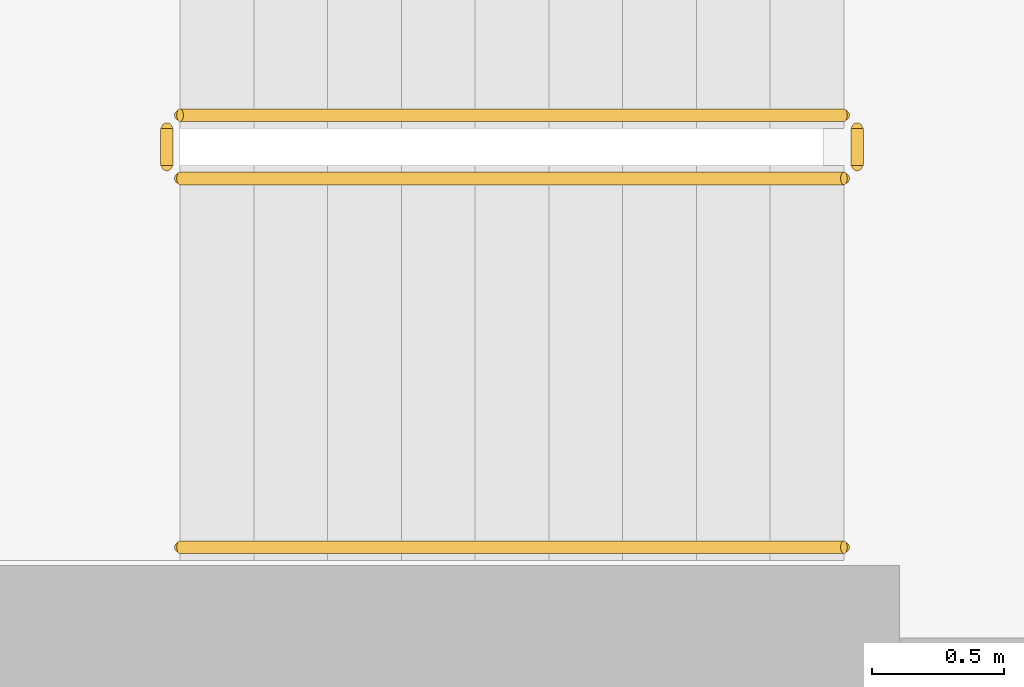
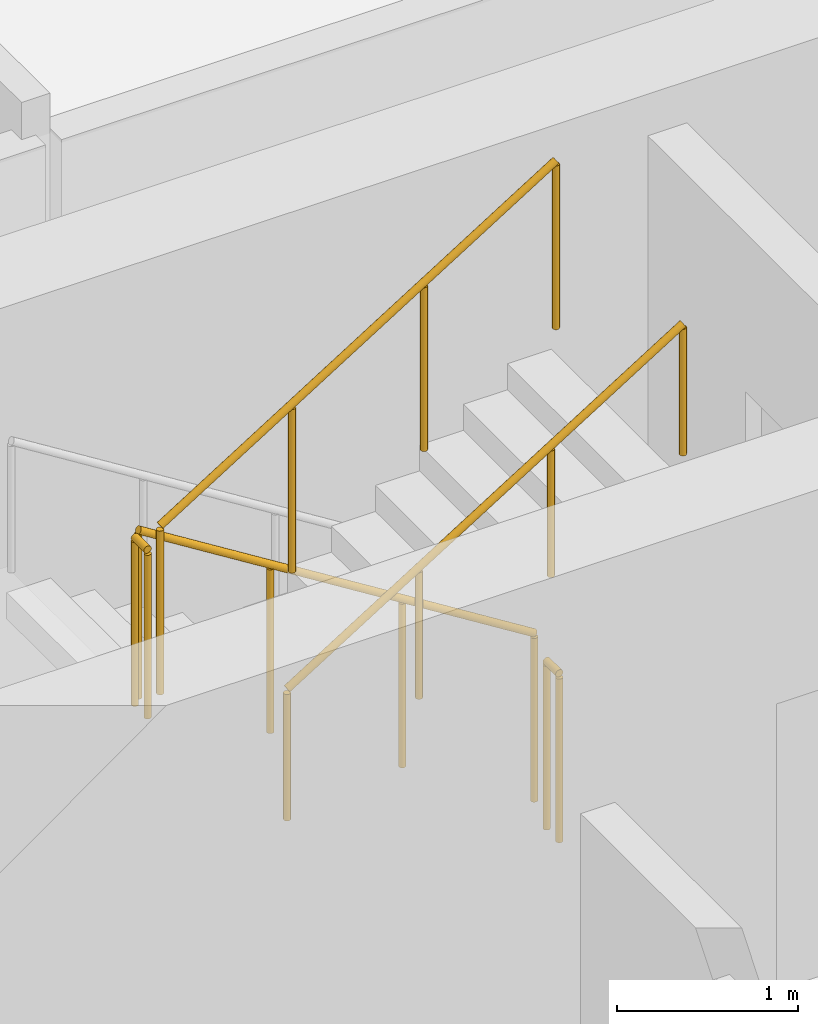
# One storey, part 24 of 26: 5 railings.
"""IFC4 building model written with IfcOpenShell, lengths in metres."""

import ifcopenshell
import ifcopenshell.guid

model = None  # the IFC model being written
_history = None  # IfcOwnerHistory: only IFC2X3 demands one
_inside = {}  # id of a spatial element -> (the spatial element, [elements in it])
_under = {}  # id of a project, library or spatial element -> (it, [spatial elements below it])
_declared = {}  # id of a project -> (the project, [libraries it declares])
_typed = {}  # id of a type object -> (the type object, [elements of that type])
_made_of = {}  # id of a material, layer set ... -> (it, [elements and type objects made of it])


def new_model(schema):
    """Start an empty IFC model of exactly this schema.

    Asked for "IFC4X3", IfcOpenShell would pick the latest addendum, in which some entities
    have other attributes; the version numbers below select the first issue.
    IFC2X3 requires an IfcOwnerHistory on every rooted entity: one is made here for all.
    """
    global model, _history
    if schema == "IFC4X3":
        model = ifcopenshell.file(schema_version=(4, 3, 0, 0))
    else:
        model = ifcopenshell.file(schema=schema)
    _inside.clear()
    _under.clear()
    _declared.clear()
    _typed.clear()
    _made_of.clear()
    _history = None
    if model.schema == "IFC2X3":
        org = make("IfcOrganization", Name="unknown")
        user = make(
            "IfcPersonAndOrganization",
            ThePerson=make("IfcPerson", FamilyName="unknown"),
            TheOrganization=org,
        )
        app = make(
            "IfcApplication",
            ApplicationDeveloper=org,
            Version="unknown",
            ApplicationFullName="unknown",
            ApplicationIdentifier="unknown",
        )
        _history = make(
            "IfcOwnerHistory",
            OwningUser=user,
            OwningApplication=app,
            ChangeAction="ADDED",
            CreationDate=0,
        )
    return model


def make(cls, **values):
    """One entity of the class cls with the attributes given. An attribute that is None is left unset."""
    return model.create_entity(
        cls, **{name: value for name, value in values.items() if value is not None}
    )


def rooted(cls, **values):
    """An entity with a GlobalId (a new one), such as an element, a storey or a relation."""
    return make(cls, GlobalId=ifcopenshell.guid.new(), OwnerHistory=_history, **values)


def si_unit(unit_type, name, prefix=None):
    """IfcSIUnit, for example si_unit("LENGTHUNIT", "METRE", prefix="MILLI")."""
    return make("IfcSIUnit", UnitType=unit_type, Prefix=prefix, Name=name)


def derived_unit(unit_type, elements):
    """IfcDerivedUnit: a product of units, each with its exponent."""
    return make(
        "IfcDerivedUnit",
        Elements=[
            make("IfcDerivedUnitElement", Unit=unit, Exponent=power)
            for unit, power in elements
        ],
        UnitType=unit_type,
    )


def assignment(units):
    """IfcUnitAssignment: the units of a project."""
    return None if units is None else make("IfcUnitAssignment", Units=units)


def point(xyz):
    """IfcCartesianPoint."""
    return None if xyz is None else make("IfcCartesianPoint", Coordinates=xyz)


def direction(xyz):
    """IfcDirection."""
    return None if xyz is None else make("IfcDirection", DirectionRatios=xyz)


def frame(location, z_axis=None, x_axis=None):
    """IfcAxis2Placement3D, a coordinate frame: its origin and axes. An axis left out is left unset."""
    return make(
        "IfcAxis2Placement3D",
        Location=point(location),
        Axis=direction(z_axis),
        RefDirection=direction(x_axis),
    )


def frame_2d(location, x_axis=None):
    """IfcAxis2Placement2D, a coordinate frame in the plane: its origin and x axis."""
    return make(
        "IfcAxis2Placement2D", Location=point(location), RefDirection=direction(x_axis)
    )


def origin():
    """The frame at (0, 0, 0) with its axes left unset."""
    return frame((0.0, 0.0, 0.0))


def origin_2d():
    """The frame at (0, 0) in the plane with its x axis left unset."""
    return frame_2d((0.0, 0.0))


def place(relative_to, where):
    """IfcLocalPlacement: puts the frame where relative to a parent placement (None: the world)."""
    return make(
        "IfcLocalPlacement", PlacementRelTo=relative_to, RelativePlacement=where
    )


def context(
    kind, dimensions, precision=None, world=None, true_north=None, identifier=None
):
    """IfcGeometricRepresentationContext, for example the 3D "Model" context."""
    return make(
        "IfcGeometricRepresentationContext",
        ContextIdentifier=identifier,
        ContextType=kind,
        CoordinateSpaceDimension=dimensions,
        Precision=precision,
        WorldCoordinateSystem=world,
        TrueNorth=true_north,
    )


def subcontext(parent, identifier, kind, view, scale=None):
    """IfcGeometricRepresentationSubContext, for example "Body" below "Model"."""
    return make(
        "IfcGeometricRepresentationSubContext",
        ContextIdentifier=identifier,
        ContextType=kind,
        ParentContext=parent,
        TargetScale=scale,
        TargetView=view,
    )


def project(units=None, contexts=None):
    """IfcProject with its units and contexts."""
    return rooted(
        "IfcProject",
        Name="project",
        RepresentationContexts=contexts,
        UnitsInContext=assignment(units),
    )


def spatial(cls, under=None, at=None, **own):
    """A site, building, storey or space (cls), placed at a placement, below another one or the project."""
    s = rooted(cls, ObjectPlacement=at, **own)
    if under is not None:
        _under.setdefault(under.id(), (under, []))[1].append(s)
    return s


def profile(cls, at=None, kind="AREA", **sizes):
    """A parametric profile (cls). Its sizes go by their IFC names, for example OverallWidth=200.0."""
    return make(cls, ProfileType=kind, Position=at, **sizes)


def circle(**sizes):
    """IfcCircleProfileDef."""
    return profile("IfcCircleProfileDef", **sizes)


def extrude(swept, where, along, depth):
    """IfcExtrudedAreaSolid: the profile swept, set in the frame where, extruded along a direction by depth."""
    return make(
        "IfcExtrudedAreaSolid",
        SweptArea=swept,
        Position=where,
        ExtrudedDirection=direction(along),
        Depth=depth,
    )


def shape(context_of_items, identifier, shape_type, items):
    """IfcShapeRepresentation: the items that make up one representation, for example the "Body"."""
    return make(
        "IfcShapeRepresentation",
        ContextOfItems=context_of_items,
        RepresentationIdentifier=identifier,
        RepresentationType=shape_type,
        Items=items,
    )


def material(Name=None, Category=None):
    """IfcMaterial."""
    return make("IfcMaterial", Name=Name, Category=Category)


def made_of(thing, what):
    """Note that an element or type object is made of a material, layer set ...; save() writes the relation."""
    if what is not None:
        _made_of.setdefault(what.id(), (what, []))[1].append(thing)
    return thing


def type_object(cls, material=None, **own):
    """A type object (cls), such as IfcWallType, which elements share."""
    return made_of(rooted(cls, **own), material)


def element(
    cls,
    number,
    at=None,
    inside=None,
    cuts=None,
    type_object=None,
    material=None,
    context=None,
    identifier="Body",
    shape_type=None,
    held_by="IfcProductDefinitionShape",
    body=None,
    shapes=None,
    **own,
):
    """One element of the class cls, such as IfcWall. Its Tag is "e" and its number.

    at: its placement. inside: the storey or other place that contains it. cuts: it is an
    opening in that element (IfcRelVoidsElement). A single representation is given by context,
    identifier, shape_type and body (its items); several are given by shapes. held_by: the class
    of the entity that holds the representations. save() writes the other relations.
    """
    e = rooted(cls, Tag="e%d" % number, ObjectPlacement=at, **own)
    if body is not None:
        shapes = [shape(context, identifier, shape_type, body)]
    if shapes is not None:
        e.Representation = make(held_by, Representations=shapes)
    if inside is not None:
        _inside.setdefault(inside.id(), (inside, []))[1].append(e)
    if cuts is not None:
        rooted(
            "IfcRelVoidsElement", RelatingBuildingElement=cuts, RelatedOpeningElement=e
        )
    if type_object is not None:
        _typed.setdefault(type_object.id(), (type_object, []))[1].append(e)
    return made_of(e, material)


def aggregate(whole, parts):
    """IfcRelAggregates: a whole, such as a stair, and the parts it consists of."""
    return rooted("IfcRelAggregates", RelatingObject=whole, RelatedObjects=parts)


def save(model, path):
    """Write the relations noted so far, then the file.

    IfcRelAggregates (storeys below a building ...), IfcRelContainedInSpatialStructure (elements
    in a storey), IfcRelDefinesByType, IfcRelAssociatesMaterial and IfcRelDeclares: one each for
    every whole, place, type object, material and project.
    """
    for whole, parts in _under.values():
        aggregate(whole, parts)
    for where, things in _inside.values():
        rooted(
            "IfcRelContainedInSpatialStructure",
            RelatedElements=things,
            RelatingStructure=where,
        )
    for kind, things in _typed.values():
        rooted("IfcRelDefinesByType", RelatedObjects=things, RelatingType=kind)
    for what, things in _made_of.values():
        rooted("IfcRelAssociatesMaterial", RelatedObjects=things, RelatingMaterial=what)
    for by, libraries in _declared.values():
        rooted("IfcRelDeclares", RelatingContext=by, RelatedDefinitions=libraries)
    model.write(path)


model = new_model("IFC4")

# Units and contexts
model_context = context("Model", 3, precision=1e-05, world=origin(), true_north=direction((0.0, 1.0)))
body_context = subcontext(model_context, "Body", "Model", "MODEL_VIEW")
ifc_project = project(units=[si_unit("LENGTHUNIT", "METRE"), si_unit("AREAUNIT", "SQUARE_METRE"), si_unit("VOLUMEUNIT", "CUBIC_METRE"), si_unit("PLANEANGLEUNIT", "RADIAN"), si_unit("MASSUNIT", "GRAM", prefix="KILO"), derived_unit("THERMALTRANSMITTANCEUNIT", [(si_unit("POWERUNIT", "WATT"), 1), (si_unit("LENGTHUNIT", "METRE"), -2), (si_unit("THERMODYNAMICTEMPERATUREUNIT", "KELVIN"), -1)])], contexts=[model_context])

# Site, building, storey
site_placement = place(None, origin())
site = spatial("IfcSite", under=ifc_project, at=site_placement, CompositionType="ELEMENT")
building_placement = place(site_placement, origin())
building = spatial("IfcBuilding", under=site, at=building_placement, Name="Kivonza Crest Hotel", CompositionType="ELEMENT")
storey_placement = place(building_placement, frame((0.0, 0.0, 55.5)))
storey = spatial("IfcBuildingStorey", under=building, at=storey_placement, Name="L14", CompositionType="ELEMENT", Elevation=55.5)

# Railings
ifc_material_1 = material(Name="Brushed stainless steel handrail", Category="steel")
railing_type_1 = type_object("IfcRailingType", Name="RL-HAND-900", PredefinedType="HANDRAIL", material=ifc_material_1)
railing_1_placement = place(storey_placement, frame((9.719970703125, 33.070068359375, 1.925048828125)))
element("IfcRailing", 1, at=railing_1_placement, inside=storey, type_object=railing_type_1, Name="L14 ST-T1-N stair handrail 2", PredefinedType="HANDRAIL", context=body_context, shape_type="SweptSolid", body=[
    extrude(circle(Radius=0.02392578125, at=origin_2d()), frame((0.0, 0.0, 0.8759765625), z_axis=(0.848007534815, 0.0, 0.529984170421), x_axis=(0.0, 1.0, 0.0)), (0.0, 0.0, 1.0), 2.9716796875),
    extrude(circle(Radius=0.02099609375, at=origin_2d()), origin(), (0.0, 0.0, 1.0), 0.851806640625),
    extrude(circle(Radius=0.02099609375, at=origin_2d()), frame((0.840087890625, 0.0, 0.52490234375)), (0.0, 0.0, 1.0), 0.851806640625),
    extrude(circle(Radius=0.02099609375, at=origin_2d()), frame((1.679931640625, 0.0, 1.050048828125)), (0.0, 0.0, 1.0), 0.851806640625),
    extrude(circle(Radius=0.02099609375, at=origin_2d()), frame((2.52001953125, 0.0, 1.574951171875)), (0.0, 0.0, 1.0), 0.851806640625),
])
ifc_material_2 = material(Name="Painted steel balustrade", Category="steel")
railing_type_2 = type_object("IfcRailingType", Name="RL-STAIR-1150", PredefinedType="BALUSTRADE", material=ifc_material_2)
railing_2_placement = place(storey_placement, frame((12.239990234375, 34.7099609375, 0.175048828125)))
element("IfcRailing", 2, at=railing_2_placement, inside=storey, type_object=railing_type_2, Name="L14 ST-T1-N stair guard 1", PredefinedType="BALUSTRADE", context=body_context, shape_type="SweptSolid", body=[
    extrude(circle(Radius=0.02392578125, at=origin_2d()), frame((0.0, 0.0, 1.1259765625), z_axis=(-0.848007534815, 0.0, 0.529984170421), x_axis=(0.0, -1.0, 0.0)), (0.0, 0.0, 1.0), 2.9716796875),
    extrude(circle(Radius=0.02099609375, at=origin_2d()), origin(), (0.0, 0.0, 1.0), 1.101806640625),
    extrude(circle(Radius=0.02099609375, at=origin_2d()), frame((-0.840087890625, 0.0, 0.52490234375)), (0.0, 0.0, 1.0), 1.101806640625),
    extrude(circle(Radius=0.02099609375, at=origin_2d()), frame((-1.679931640625, 0.0, 1.050048828125)), (0.0, 0.0, 1.0), 1.101806640625),
    extrude(circle(Radius=0.02099609375, at=origin_2d()), frame((-2.52001953125, 0.0, 1.574951171875)), (0.0, 0.0, 1.0), 1.101806640625),
])
railing_3_placement = place(storey_placement, frame((9.669921875, 34.659912109375, 1.75)))
element("IfcRailing", 3, at=railing_3_placement, inside=storey, type_object=railing_type_2, Name="L14 ST-T1-N stair guard 2", PredefinedType="BALUSTRADE", context=body_context, shape_type="SweptSolid", body=[
    extrude(circle(Radius=0.02392578125, at=origin_2d()), frame((0.0, 0.0, 1.1259765625), z_axis=(0.0, -1.0, 0.0), x_axis=(1.0, 0.0, 0.0)), (0.0, 0.0, 1.0), 0.139892578125),
    extrude(circle(Radius=0.02099609375, at=origin_2d()), origin(), (0.0, 0.0, 1.0), 1.101806640625),
    extrude(circle(Radius=0.02099609375, at=origin_2d()), frame((0.0, -0.139892578125, 0.0)), (0.0, 0.0, 1.0), 1.101806640625),
])
railing_4_placement = place(storey_placement, frame((9.719970703125, 34.469970703125, 1.925048828125)))
element("IfcRailing", 4, at=railing_4_placement, inside=storey, type_object=railing_type_2, Name="L14 ST-T1-N stair guard 3", PredefinedType="BALUSTRADE", context=body_context, shape_type="SweptSolid", body=[
    extrude(circle(Radius=0.02392578125, at=origin_2d()), frame((0.0, 0.0, 1.1259765625), z_axis=(0.848007534815, 0.0, 0.529984170421), x_axis=(0.0, 1.0, 0.0)), (0.0, 0.0, 1.0), 2.9716796875),
    extrude(circle(Radius=0.02099609375, at=origin_2d()), origin(), (0.0, 0.0, 1.0), 1.101806640625),
    extrude(circle(Radius=0.02099609375, at=origin_2d()), frame((0.840087890625, 0.0, 0.52490234375)), (0.0, 0.0, 1.0), 1.101806640625),
    extrude(circle(Radius=0.02099609375, at=origin_2d()), frame((1.679931640625, 0.0, 1.050048828125)), (0.0, 0.0, 1.0), 1.101806640625),
    extrude(circle(Radius=0.02099609375, at=origin_2d()), frame((2.52001953125, 0.0, 1.574951171875)), (0.0, 0.0, 1.0), 1.101806640625),
])
railing_5_placement = place(storey_placement, frame((12.2900390625, 34.659912109375, 0.0)))
element("IfcRailing", 5, at=railing_5_placement, inside=storey, type_object=railing_type_2, Name="L14 ST-T1-N stair guard 4", PredefinedType="BALUSTRADE", context=body_context, shape_type="SweptSolid", body=[
    extrude(circle(Radius=0.02392578125, at=origin_2d()), frame((0.0, 0.0, 1.1259765625), z_axis=(0.0, -1.0, 0.0), x_axis=(1.0, 0.0, 0.0)), (0.0, 0.0, 1.0), 0.139892578125),
    extrude(circle(Radius=0.02099609375, at=origin_2d()), origin(), (0.0, 0.0, 1.0), 1.101806640625),
    extrude(circle(Radius=0.02099609375, at=origin_2d()), frame((0.0, -0.139892578125, 0.0)), (0.0, 0.0, 1.0), 1.101806640625),
])

save(model, "model.ifc")
